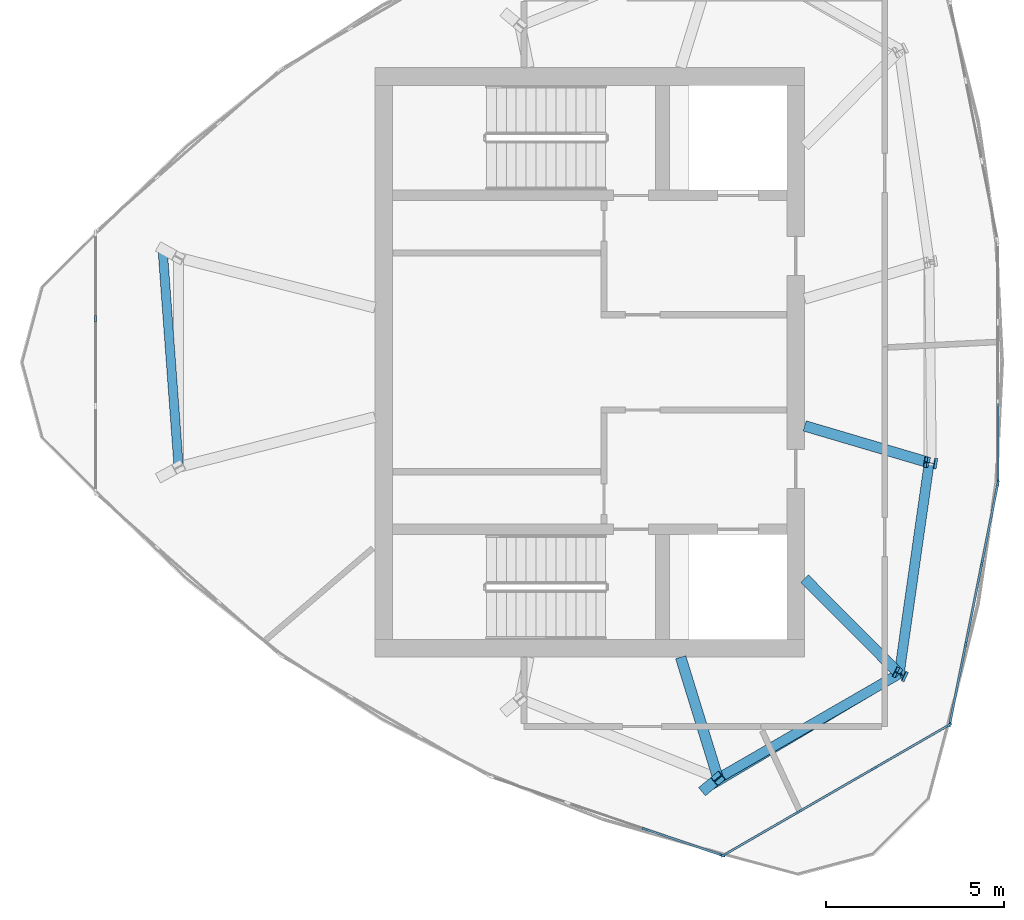
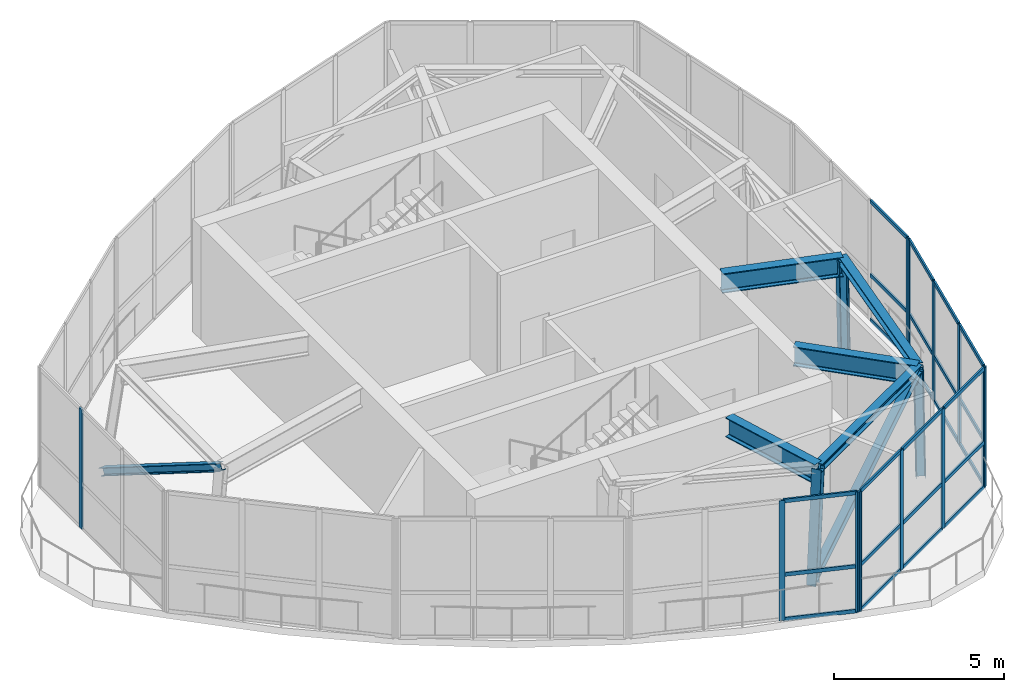
# One storey, part 2 of 10: 43 members, 3 beams, 5 elements without a shape of their own.
"""IFC4 building model written with IfcOpenShell, lengths in metres."""

from ifc_helpers import new_model, si_unit, direction, frame, origin, origin_2d, place, context, subcontext, project, spatial, rectangle, i_section, extrude, source, transform, mapped, material, layer, layer_set, material_profile, profile_set, type_object, element, aggregate, save


model = new_model("IFC4")

# Units and contexts
model_context = context("Model", 3, precision=1e-05, world=origin(), true_north=direction((0.0, 1.0)))
body_context = subcontext(model_context, "Body", "Model", "MODEL_VIEW")
ifc_project = project(units=[si_unit("LENGTHUNIT", "METRE"), si_unit("AREAUNIT", "SQUARE_METRE"), si_unit("VOLUMEUNIT", "CUBIC_METRE"), si_unit("PLANEANGLEUNIT", "RADIAN"), si_unit("MASSUNIT", "GRAM", prefix="KILO")], contexts=[model_context])

# Site, building, storey
site_placement = place(None, origin())
site = spatial("IfcSite", under=ifc_project, at=site_placement, CompositionType="ELEMENT")
building_placement = place(site_placement, origin())
building = spatial("IfcBuilding", under=site, at=building_placement, Name="Qafzar Sky-Pleat Residences", CompositionType="ELEMENT")
storey_placement = place(building_placement, frame((0.0, 0.0, 270.39990234375)))
storey = spatial("IfcBuildingStorey", under=building, at=storey_placement, Name="L80 Crown", CompositionType="ELEMENT", Elevation=270.39990234375)

# Members
ifc_material_1 = material(Name="Steel S460", Category="steel")
ifc_material_profile_1 = material_profile(ifc_material_1, i_section(OverallWidth=0.300048828125, OverallDepth=0.300048828125, WebThickness=0.010986328125, FlangeThickness=0.01904296875, FilletRadius=0.027099609375, at=origin_2d()), Name="HEB 300")
ifc_profile_set_1 = profile_set([ifc_material_profile_1], Name="Steel S460")
member_type_1 = type_object("IfcMemberType", Name="MEM-CROWN-RIB", PredefinedType="CHORD", material=ifc_profile_set_1)
shared_shape_1 = source(origin(), body_context, "Body", "SweptSolid", [
    extrude(i_section(OverallWidth=0.300048828125, OverallDepth=0.300048828125, WebThickness=0.010986328125, FlangeThickness=0.01904296875, FilletRadius=0.027099609375, at=origin_2d()), origin(), (0.0, 0.0, 1.0), 3.92041015625),
])
member_1_placement = place(storey_placement, frame((33.623779296875, 14.01025390625, 0.0), z_axis=(0.086060556338, 0.071177435524, 0.993744108569), x_axis=(-0.637328040469, 0.770592608861, 0.0)))
element("IfcMember", 1, at=member_1_placement, inside=storey, type_object=member_type_1, Name="L80 Crown CROWN FRAME Inclined Rib 5", PredefinedType="CHORD", context=body_context, shape_type="MappedRepresentation", body=[
    mapped(shared_shape_1, transform((0.0, 0.0, 0.0), x_axis=(1.0, 0.0, 0.0), y_axis=(0.0, 1.0, 0.0), z_axis=(0.0, 0.0, 1.0), scale=1.0)),
])
shared_shape_2 = source(origin(), body_context, "Body", "SweptSolid", [
    extrude(i_section(OverallWidth=0.300048828125, OverallDepth=0.300048828125, WebThickness=0.010986328125, FlangeThickness=0.01904296875, FilletRadius=0.027099609375, at=origin_2d()), origin(), (0.0, 0.0, 1.0), 3.896728515625),
])
for number, where, z_axis, x_axis, name in (
    (2, (39.12353515625, 17.203369140625, 0.0), (-0.016039554791, 0.007831813863, 0.999840684996), (-0.438769386115, -0.898599702764, 0.0), "L80 Crown CROWN FRAME Inclined Rib 6"),
    (3, (39.9736328125, 23.165283203125, 0.0), (-0.017605920467, 0.002882107977, 0.999840849845), (-0.161550756622, -0.986864404584, 0.0), "L80 Crown CROWN FRAME Inclined Rib 7"),
):
    element("IfcMember", number, at=place(storey_placement, frame(where, z_axis=z_axis, x_axis=x_axis)), inside=storey, type_object=member_type_1, Name=name, PredefinedType="CHORD", context=body_context, shape_type="MappedRepresentation", body=[
        mapped(shared_shape_2, transform((0.0, 0.0, 0.0), x_axis=(1.0, 0.0, 0.0), y_axis=(0.0, 1.0, 0.0), z_axis=(0.0, 0.0, 1.0), scale=1.0)),
    ])
ifc_material_2 = material(Name="Steel S355", Category="steel")
ifc_material_profile_2 = material_profile(ifc_material_2, i_section(OverallWidth=0.260009765625, OverallDepth=0.260009765625, WebThickness=0.010009765625, FlangeThickness=0.017578125, FilletRadius=0.02392578125, at=origin_2d()), Name="HEB 260")
ifc_profile_set_2 = profile_set([ifc_material_profile_2], Name="Steel S355")
member_type_2 = type_object("IfcMemberType", Name="MEM-CROWN-DIAG", PredefinedType="BRACE", material=ifc_profile_set_2)
shared_shape_3 = source(origin(), body_context, "Body", "SweptSolid", [
    extrude(i_section(OverallWidth=0.260009765625, OverallDepth=0.260009765625, WebThickness=0.010009765625, FlangeThickness=0.017578125, FilletRadius=0.02392578125, at=origin_2d()), origin(), (0.0, 0.0, 1.0), 7.1884765625),
])
member_2_placement = place(storey_placement, frame((18.325927734375, 29.192626953125, 0.2001953125), z_axis=(0.062865308907, -0.853725159366, 0.516915181826), x_axis=(0.997299811024, 0.073437639742, 0.0)))
element("IfcMember", 4, at=member_2_placement, inside=storey, type_object=member_type_2, Name="L80 Crown CROWN FRAME Wind Brace 1", PredefinedType="BRACE", context=body_context, shape_type="MappedRepresentation", body=[
    mapped(shared_shape_3, transform((0.0, 0.0, 0.0), x_axis=(1.0, 0.0, 0.0), y_axis=(0.0, 1.0, 0.0), z_axis=(0.0, 0.0, 1.0), scale=1.0)),
])
ifc_material_profile_3 = material_profile(ifc_material_2, i_section(OverallWidth=0.280029296875, OverallDepth=0.280029296875, WebThickness=0.010498046875, FlangeThickness=0.01806640625, FilletRadius=0.02392578125, at=origin_2d()), Name="HEB 280")
ifc_profile_set_3 = profile_set([ifc_material_profile_3], Name="Steel S355")
member_type_3 = type_object("IfcMemberType", Name="MEM-CROWN-RING", PredefinedType="PURLIN", material=ifc_profile_set_3)
shared_shape_4 = source(origin(), body_context, "Body", "SweptSolid", [
    extrude(i_section(OverallWidth=0.280029296875, OverallDepth=0.280029296875, WebThickness=0.010498046875, FlangeThickness=0.01806640625, FilletRadius=0.02392578125, at=origin_2d()), origin(), (0.0, 0.0, 1.0), 5.888916015625),
])
member_3_placement = place(storey_placement, frame((33.961181640625, 14.289306640625, 3.906005859375), z_axis=(0.866012294628, 0.500022705037, 0.0), x_axis=(-0.500022705037, 0.866012294628, 0.0)))
element("IfcMember", 5, at=member_3_placement, inside=storey, type_object=member_type_3, Name="L80 Crown CROWN FRAME Ring Beam 5", PredefinedType="PURLIN", context=body_context, shape_type="MappedRepresentation", body=[
    mapped(shared_shape_4, transform((0.0, 0.0, 0.0), x_axis=(1.0, 0.0, 0.0), y_axis=(0.0, 1.0, 0.0), z_axis=(0.0, 0.0, 1.0), scale=1.0)),
])
shared_shape_5 = source(origin(), body_context, "Body", "SweptSolid", [
    extrude(i_section(OverallWidth=0.260009765625, OverallDepth=0.260009765625, WebThickness=0.010009765625, FlangeThickness=0.017578125, FilletRadius=0.02392578125, at=origin_2d()), origin(), (0.0, 0.0, 1.0), 7.332275390625),
])
member_4_placement = place(storey_placement, frame((33.623779296875, 14.01025390625, 0.2001953125), z_axis=(0.741546698695, 0.439647191844, 0.506772967273), x_axis=(-0.509984477823, 0.860183603877, 0.0)))
element("IfcMember", 6, at=member_4_placement, inside=storey, type_object=member_type_2, Name="L80 Crown CROWN FRAME Wind Brace 5", PredefinedType="BRACE", context=body_context, shape_type="MappedRepresentation", body=[
    mapped(shared_shape_5, transform((0.0, 0.0, 0.0), x_axis=(1.0, 0.0, 0.0), y_axis=(0.0, 1.0, 0.0), z_axis=(0.0, 0.0, 1.0), scale=1.0)),
])
shared_shape_6 = source(origin(), body_context, "Body", "SweptSolid", [
    extrude(i_section(OverallWidth=0.280029296875, OverallDepth=0.280029296875, WebThickness=0.010498046875, FlangeThickness=0.01806640625, FilletRadius=0.02392578125, at=origin_2d()), origin(), (0.0, 0.0, 1.0), 6.002197265625),
])
member_5_placement = place(storey_placement, frame((39.06103515625, 17.23388671875, 3.906005859375), z_axis=(0.140612694547, 0.990064679772, 0.0), x_axis=(-0.990064679772, 0.140612694547, 0.0)))
element("IfcMember", 7, at=member_5_placement, inside=storey, type_object=member_type_3, Name="L80 Crown CROWN FRAME Ring Beam 6", PredefinedType="PURLIN", context=body_context, shape_type="MappedRepresentation", body=[
    mapped(shared_shape_6, transform((0.0, 0.0, 0.0), x_axis=(1.0, 0.0, 0.0), y_axis=(0.0, 1.0, 0.0), z_axis=(0.0, 0.0, 1.0), scale=1.0)),
])

# Beams
ifc_material_profile_4 = material_profile(ifc_material_1, i_section(OverallWidth=0.300048828125, OverallDepth=0.699951171875, WebThickness=0.01708984375, FlangeThickness=0.031982421875, FilletRadius=0.027099609375, at=origin_2d()), Name="HEB 700")
ifc_profile_set_4 = profile_set([ifc_material_profile_4], Name="Steel S460")
beam_type = type_object("IfcBeamType", Name="BM-CHORD-HEB700", PredefinedType="BEAM", material=ifc_profile_set_4)
shared_shape_7 = source(origin(), body_context, "Body", "SweptSolid", [
    extrude(i_section(OverallWidth=0.300048828125, OverallDepth=0.699951171875, WebThickness=0.01708984375, FlangeThickness=0.031982421875, FilletRadius=0.027099609375, at=origin_2d()), origin(), (0.0, 0.0, 1.0), 3.569091796875),
])
beam_1_placement = place(storey_placement, frame((33.961181640625, 14.289306640625, 3.697998046875), z_axis=(-0.29468182556, 0.955595427827, 0.0), x_axis=(-0.955595427827, -0.29468182556, 0.0)))
element("IfcBeam", 8, at=beam_1_placement, inside=storey, type_object=beam_type, Name="L81 Crown Crown Rib Base Transfer Beam 5", PredefinedType="BEAM", context=body_context, shape_type="MappedRepresentation", body=[
    mapped(shared_shape_7, transform((0.0, 0.0, 0.0), x_axis=(1.0, 0.0, 0.0), y_axis=(0.0, 1.0, 0.0), z_axis=(0.0, 0.0, 1.0), scale=1.0)),
])
shared_shape_8 = source(origin(), body_context, "Body", "SweptSolid", [
    extrude(i_section(OverallWidth=0.300048828125, OverallDepth=0.699951171875, WebThickness=0.01708984375, FlangeThickness=0.031982421875, FilletRadius=0.027099609375, at=origin_2d()), origin(), (0.0, 0.0, 1.0), 3.775146484375),
])
beam_2_placement = place(storey_placement, frame((39.06103515625, 17.23388671875, 3.697998046875), z_axis=(-0.70490457764, 0.709302147482, 0.0), x_axis=(-0.709302147482, -0.70490457764, 0.0)))
element("IfcBeam", 9, at=beam_2_placement, inside=storey, type_object=beam_type, Name="L81 Crown Crown Rib Base Transfer Beam 6", PredefinedType="BEAM", context=body_context, shape_type="MappedRepresentation", body=[
    mapped(shared_shape_8, transform((0.0, 0.0, 0.0), x_axis=(1.0, 0.0, 0.0), y_axis=(0.0, 1.0, 0.0), z_axis=(0.0, 0.0, 1.0), scale=1.0)),
])
shared_shape_9 = source(origin(), body_context, "Body", "SweptSolid", [
    extrude(i_section(OverallWidth=0.300048828125, OverallDepth=0.699951171875, WebThickness=0.01708984375, FlangeThickness=0.031982421875, FilletRadius=0.027099609375, at=origin_2d()), origin(), (0.0, 0.0, 1.0), 3.655029296875),
])
beam_3_placement = place(storey_placement, frame((39.905029296875, 23.176513671875, 3.697998046875), z_axis=(-0.959014820317, 0.28335591473, 0.0), x_axis=(-0.28335591473, -0.959014820317, 0.0)))
element("IfcBeam", 10, at=beam_3_placement, inside=storey, type_object=beam_type, Name="L81 Crown Crown Rib Base Transfer Beam 7", PredefinedType="BEAM", context=body_context, shape_type="MappedRepresentation", body=[
    mapped(shared_shape_9, transform((0.0, 0.0, 0.0), x_axis=(1.0, 0.0, 0.0), y_axis=(0.0, 1.0, 0.0), z_axis=(0.0, 0.0, 1.0), scale=1.0)),
])

# Curtain wall, member
ifc_material_3 = material(Name="Anodised bronze aluminium framing", Category="aluminium")
ifc_layer = layer(ifc_material_3, 0.179931640625)
ifc_layer_set = layer_set([ifc_layer], Name="Anodised bronze aluminium framing")
curtain_wall_type = type_object("IfcCurtainWallType", Name="CW-SYS-06", PredefinedType="NOTDEFINED", material=ifc_layer_set)
curtain_wall_1_placement = place(storey_placement, origin())
curtain_wall_1 = element("IfcCurtainWall", 11, at=curtain_wall_1_placement, inside=storey, type_object=curtain_wall_type, Name="L80 Crown CW-06 Curtain Wall CW-CROWN-05-01", PredefinedType="NOTDEFINED")
ifc_material_4 = material(Name="Anodised bronze aluminium", Category="aluminium")
ifc_material_profile_5 = material_profile(ifc_material_4, rectangle(XDim=0.06005859375, YDim=0.179931640625, at=origin_2d()), Name="ALU MULLION 60x180")
ifc_profile_set_5 = profile_set([ifc_material_profile_5], Name="Anodised bronze aluminium")
member_type_4 = type_object("IfcMemberType", Name="CWM-06", PredefinedType="MULLION", material=ifc_profile_set_5)
shared_shape_10 = source(origin(), body_context, "Body", "SweptSolid", [
    extrude(rectangle(XDim=0.06005859375, YDim=0.179931640625, at=origin_2d()), origin(), (0.0, 0.0, 1.0), 4.300048828125),
])
member_6_placement = place(storey_placement, frame((16.438720703125, 27.227783203125, 0.0), z_axis=(0.0, 0.0, 1.0), x_axis=(1.0, 0.0, 0.0)))
member_6 = element("IfcMember", 12, at=member_6_placement, type_object=member_type_4, Name="CW-06 mullion 2", PredefinedType="MULLION", context=body_context, shape_type="MappedRepresentation", body=[
    mapped(shared_shape_10, transform((0.0, 0.0, 0.0), x_axis=(1.0, 0.0, 0.0), y_axis=(0.0, 1.0, 0.0), z_axis=(0.0, 0.0, 1.0), scale=1.0)),
])
aggregate(curtain_wall_1, [member_6])

# Curtain wall, members
curtain_wall_2_placement = place(storey_placement, origin())
curtain_wall_2 = element("IfcCurtainWall", 13, at=curtain_wall_2_placement, inside=storey, type_object=curtain_wall_type, Name="L80 Crown CW-06 Curtain Wall CW-CROWN-05-04", PredefinedType="NOTDEFINED")
member_7_placement = place(storey_placement, frame((31.91162109375, 12.860107421875, 0.0), z_axis=(0.0, 0.0, 1.0), x_axis=(0.320439473508, 0.947268992324, 0.0)))
member_7 = element("IfcMember", 14, at=member_7_placement, type_object=member_type_4, Name="CW-06 mullion 3", PredefinedType="MULLION", context=body_context, shape_type="MappedRepresentation", body=[
    mapped(shared_shape_10, transform((0.0, 0.0, 0.0), x_axis=(1.0, 0.0, 0.0), y_axis=(0.0, 1.0, 0.0), z_axis=(0.0, 0.0, 1.0), scale=1.0)),
])
member_8_placement = place(storey_placement, frame((34.072265625, 12.129150390625, 0.0), z_axis=(0.0, 0.0, 1.0), x_axis=(0.320439473508, 0.947268992324, 0.0)))
member_8 = element("IfcMember", 15, at=member_8_placement, type_object=member_type_4, Name="CW-06 mullion 4", PredefinedType="MULLION", context=body_context, shape_type="MappedRepresentation", body=[
    mapped(shared_shape_10, transform((0.0, 0.0, 0.0), x_axis=(1.0, 0.0, 0.0), y_axis=(0.0, 1.0, 0.0), z_axis=(0.0, 0.0, 1.0), scale=1.0)),
])

curtain_wall_3_placement = place(storey_placement, origin())
curtain_wall_3 = element("IfcCurtainWall", 16, at=curtain_wall_3_placement, inside=storey, type_object=curtain_wall_type, Name="L80 Crown CW-06 Curtain Wall CW-CROWN-05-05", PredefinedType="NOTDEFINED")
member_9_placement = place(storey_placement, frame((34.12646484375, 12.134521484375, 0.0), z_axis=(0.0, 0.0, 1.0), x_axis=(-0.500000537791, 0.86602509329, 0.0)))
member_9 = element("IfcMember", 17, at=member_9_placement, type_object=member_type_4, Name="CW-06 mullion 1", PredefinedType="MULLION", context=body_context, shape_type="MappedRepresentation", body=[
    mapped(shared_shape_10, transform((0.0, 0.0, 0.0), x_axis=(1.0, 0.0, 0.0), y_axis=(0.0, 1.0, 0.0), z_axis=(0.0, 0.0, 1.0), scale=1.0)),
])
member_10_placement = place(storey_placement, frame((36.227294921875, 13.347412109375, 0.0), z_axis=(0.0, 0.0, 1.0), x_axis=(-0.500000537791, 0.86602509329, 0.0)))
member_10 = element("IfcMember", 18, at=member_10_placement, type_object=member_type_4, Name="CW-06 mullion 2", PredefinedType="MULLION", context=body_context, shape_type="MappedRepresentation", body=[
    mapped(shared_shape_10, transform((0.0, 0.0, 0.0), x_axis=(1.0, 0.0, 0.0), y_axis=(0.0, 1.0, 0.0), z_axis=(0.0, 0.0, 1.0), scale=1.0)),
])
member_11_placement = place(storey_placement, frame((38.35400390625, 14.5751953125, 0.0), z_axis=(0.0, 0.0, 1.0), x_axis=(-0.500000537791, 0.86602509329, 0.0)))
member_11 = element("IfcMember", 19, at=member_11_placement, type_object=member_type_4, Name="CW-06 mullion 3", PredefinedType="MULLION", context=body_context, shape_type="MappedRepresentation", body=[
    mapped(shared_shape_10, transform((0.0, 0.0, 0.0), x_axis=(1.0, 0.0, 0.0), y_axis=(0.0, 1.0, 0.0), z_axis=(0.0, 0.0, 1.0), scale=1.0)),
])
member_12_placement = place(storey_placement, frame((40.45458984375, 15.7880859375, 0.0), z_axis=(0.0, 0.0, 1.0), x_axis=(-0.500000537791, 0.86602509329, 0.0)))
member_12 = element("IfcMember", 20, at=member_12_placement, type_object=member_type_4, Name="CW-06 mullion 4", PredefinedType="MULLION", context=body_context, shape_type="MappedRepresentation", body=[
    mapped(shared_shape_10, transform((0.0, 0.0, 0.0), x_axis=(1.0, 0.0, 0.0), y_axis=(0.0, 1.0, 0.0), z_axis=(0.0, 0.0, 1.0), scale=1.0)),
])

curtain_wall_4_placement = place(storey_placement, origin())
curtain_wall_4 = element("IfcCurtainWall", 21, at=curtain_wall_4_placement, inside=storey, type_object=curtain_wall_type, Name="L80 Crown CW-06 Curtain Wall CW-CROWN-05-06", PredefinedType="NOTDEFINED")
member_13_placement = place(storey_placement, frame((40.486572265625, 15.83251953125, 0.0), z_axis=(0.0, 0.0, 1.0), x_axis=(-0.980580675691, 0.196116135138, 0.0)))
member_13 = element("IfcMember", 22, at=member_13_placement, type_object=member_type_4, Name="CW-06 mullion 1", PredefinedType="MULLION", context=body_context, shape_type="MappedRepresentation", body=[
    mapped(shared_shape_10, transform((0.0, 0.0, 0.0), x_axis=(1.0, 0.0, 0.0), y_axis=(0.0, 1.0, 0.0), z_axis=(0.0, 0.0, 1.0), scale=1.0)),
])
member_14_placement = place(storey_placement, frame((40.933837890625, 18.069091796875, 0.0), z_axis=(0.0, 0.0, 1.0), x_axis=(-0.980580675691, 0.196116135138, 0.0)))
member_14 = element("IfcMember", 23, at=member_14_placement, type_object=member_type_4, Name="CW-06 mullion 2", PredefinedType="MULLION", context=body_context, shape_type="MappedRepresentation", body=[
    mapped(shared_shape_10, transform((0.0, 0.0, 0.0), x_axis=(1.0, 0.0, 0.0), y_axis=(0.0, 1.0, 0.0), z_axis=(0.0, 0.0, 1.0), scale=1.0)),
])
member_15_placement = place(storey_placement, frame((41.386962890625, 20.3349609375, 0.0), z_axis=(0.0, 0.0, 1.0), x_axis=(-0.980580675691, 0.196116135138, 0.0)))
member_15 = element("IfcMember", 24, at=member_15_placement, type_object=member_type_4, Name="CW-06 mullion 3", PredefinedType="MULLION", context=body_context, shape_type="MappedRepresentation", body=[
    mapped(shared_shape_10, transform((0.0, 0.0, 0.0), x_axis=(1.0, 0.0, 0.0), y_axis=(0.0, 1.0, 0.0), z_axis=(0.0, 0.0, 1.0), scale=1.0)),
])
member_16_placement = place(storey_placement, frame((41.834228515625, 22.571533203125, 0.0), z_axis=(0.0, 0.0, 1.0), x_axis=(-0.980580675691, 0.196116135138, 0.0)))
member_16 = element("IfcMember", 25, at=member_16_placement, type_object=member_type_4, Name="CW-06 mullion 4", PredefinedType="MULLION", context=body_context, shape_type="MappedRepresentation", body=[
    mapped(shared_shape_10, transform((0.0, 0.0, 0.0), x_axis=(1.0, 0.0, 0.0), y_axis=(0.0, 1.0, 0.0), z_axis=(0.0, 0.0, 1.0), scale=1.0)),
])

# Curtain wall, member
curtain_wall_5_placement = place(storey_placement, origin())
curtain_wall_5 = element("IfcCurtainWall", 26, at=curtain_wall_5_placement, inside=storey, type_object=curtain_wall_type, Name="L80 Crown CW-06 Curtain Wall CW-CROWN-05-07", PredefinedType="NOTDEFINED")
member_17_placement = place(storey_placement, frame((41.840087890625, 22.631103515625, 0.0), z_axis=(0.0, 0.0, 1.0), x_axis=(-1.0, 0.0, 0.0)))
member_17 = element("IfcMember", 27, at=member_17_placement, type_object=member_type_4, Name="CW-06 mullion 1", PredefinedType="MULLION", context=body_context, shape_type="MappedRepresentation", body=[
    mapped(shared_shape_10, transform((0.0, 0.0, 0.0), x_axis=(1.0, 0.0, 0.0), y_axis=(0.0, 1.0, 0.0), z_axis=(0.0, 0.0, 1.0), scale=1.0)),
])

# Member
ifc_material_profile_6 = material_profile(ifc_material_4, rectangle(XDim=0.06005859375, YDim=0.135009765625, at=origin_2d()), Name="ALU TRANSOM 60x135")
ifc_profile_set_6 = profile_set([ifc_material_profile_6], Name="Anodised bronze aluminium")
member_type_5 = type_object("IfcMemberType", Name="CWT-06", PredefinedType="USERDEFINED", material=ifc_profile_set_6)
shared_shape_11 = source(origin(), body_context, "Body", "SweptSolid", [
    extrude(rectangle(XDim=0.06005859375, YDim=0.135009765625, at=origin_2d()), origin(), (0.0, 0.0, 1.0), 2.36572265625),
])
member_18_placement = place(storey_placement, frame((38.3798828125, 14.590087890625, 0.030029296875), z_axis=(0.866030920585, 0.499990444499, 0.0), x_axis=(-0.499990444499, 0.866030920585, 0.0)))
member_18 = element("IfcMember", 28, at=member_18_placement, type_object=member_type_5, Name="CW-06 transom 3.1", ObjectType="TRANSOM", PredefinedType="USERDEFINED", context=body_context, shape_type="MappedRepresentation", body=[
    mapped(shared_shape_11, transform((0.0, 0.0, 0.0), x_axis=(1.0, 0.0, 0.0), y_axis=(0.0, 1.0, 0.0), z_axis=(0.0, 0.0, 1.0), scale=1.0)),
])

member_19_placement = place(storey_placement, frame((38.3798828125, 14.590087890625, 1.634033203125), z_axis=(0.866030920585, 0.499990444499, 0.0), x_axis=(-0.499990444499, 0.866030920585, 0.0)))
member_19 = element("IfcMember", 29, at=member_19_placement, type_object=member_type_5, Name="CW-06 transom 3.2", ObjectType="TRANSOM", PredefinedType="USERDEFINED", context=body_context, shape_type="MappedRepresentation", body=[
    mapped(shared_shape_11, transform((0.0, 0.0, 0.0), x_axis=(1.0, 0.0, 0.0), y_axis=(0.0, 1.0, 0.0), z_axis=(0.0, 0.0, 1.0), scale=1.0)),
])

member_20_placement = place(storey_placement, frame((38.3798828125, 14.590087890625, 4.27001953125), z_axis=(0.866030920585, 0.499990444499, 0.0), x_axis=(-0.499990444499, 0.866030920585, 0.0)))
member_20 = element("IfcMember", 30, at=member_20_placement, type_object=member_type_5, Name="CW-06 transom 3.3", ObjectType="TRANSOM", PredefinedType="USERDEFINED", context=body_context, shape_type="MappedRepresentation", body=[
    mapped(shared_shape_11, transform((0.0, 0.0, 0.0), x_axis=(1.0, 0.0, 0.0), y_axis=(0.0, 1.0, 0.0), z_axis=(0.0, 0.0, 1.0), scale=1.0)),
])

shared_shape_12 = source(origin(), body_context, "Body", "SweptSolid", [
    extrude(rectangle(XDim=0.06005859375, YDim=0.135009765625, at=origin_2d()), origin(), (0.0, 0.0, 1.0), 2.3955078125),
])
member_21_placement = place(storey_placement, frame((36.253173828125, 13.3623046875, 0.030029296875), z_axis=(0.866039638822, 0.499975343382, 0.0), x_axis=(-0.499975343382, 0.866039638822, 0.0)))
member_21 = element("IfcMember", 31, at=member_21_placement, type_object=member_type_5, Name="CW-06 transom 2.1", ObjectType="TRANSOM", PredefinedType="USERDEFINED", context=body_context, shape_type="MappedRepresentation", body=[
    mapped(shared_shape_12, transform((0.0, 0.0, 0.0), x_axis=(1.0, 0.0, 0.0), y_axis=(0.0, 1.0, 0.0), z_axis=(0.0, 0.0, 1.0), scale=1.0)),
])

member_22_placement = place(storey_placement, frame((36.253173828125, 13.3623046875, 1.634033203125), z_axis=(0.866039638822, 0.499975343382, 0.0), x_axis=(-0.499975343382, 0.866039638822, 0.0)))
member_22 = element("IfcMember", 32, at=member_22_placement, type_object=member_type_5, Name="CW-06 transom 2.2", ObjectType="TRANSOM", PredefinedType="USERDEFINED", context=body_context, shape_type="MappedRepresentation", body=[
    mapped(shared_shape_12, transform((0.0, 0.0, 0.0), x_axis=(1.0, 0.0, 0.0), y_axis=(0.0, 1.0, 0.0), z_axis=(0.0, 0.0, 1.0), scale=1.0)),
])

member_23_placement = place(storey_placement, frame((36.253173828125, 13.3623046875, 4.27001953125), z_axis=(0.866039638822, 0.499975343382, 0.0), x_axis=(-0.499975343382, 0.866039638822, 0.0)))
member_23 = element("IfcMember", 33, at=member_23_placement, type_object=member_type_5, Name="CW-06 transom 2.3", ObjectType="TRANSOM", PredefinedType="USERDEFINED", context=body_context, shape_type="MappedRepresentation", body=[
    mapped(shared_shape_12, transform((0.0, 0.0, 0.0), x_axis=(1.0, 0.0, 0.0), y_axis=(0.0, 1.0, 0.0), z_axis=(0.0, 0.0, 1.0), scale=1.0)),
])

shared_shape_13 = source(origin(), body_context, "Body", "SweptSolid", [
    extrude(rectangle(XDim=0.06005859375, YDim=0.135009765625, at=origin_2d()), origin(), (0.0, 0.0, 1.0), 2.220947265625),
])
member_24_placement = place(storey_placement, frame((31.93994140625, 12.850341796875, 0.030029296875), z_axis=(0.947266802328, -0.320445947405, 0.0), x_axis=(0.320445947405, 0.947266802328, 0.0)))
member_24 = element("IfcMember", 34, at=member_24_placement, type_object=member_type_5, Name="CW-06 transom 3.1", ObjectType="TRANSOM", PredefinedType="USERDEFINED", context=body_context, shape_type="MappedRepresentation", body=[
    mapped(shared_shape_13, transform((0.0, 0.0, 0.0), x_axis=(1.0, 0.0, 0.0), y_axis=(0.0, 1.0, 0.0), z_axis=(0.0, 0.0, 1.0), scale=1.0)),
])

member_25_placement = place(storey_placement, frame((31.93994140625, 12.850341796875, 1.634033203125), z_axis=(0.947266802328, -0.320445947405, 0.0), x_axis=(0.320445947405, 0.947266802328, 0.0)))
member_25 = element("IfcMember", 35, at=member_25_placement, type_object=member_type_5, Name="CW-06 transom 3.2", ObjectType="TRANSOM", PredefinedType="USERDEFINED", context=body_context, shape_type="MappedRepresentation", body=[
    mapped(shared_shape_13, transform((0.0, 0.0, 0.0), x_axis=(1.0, 0.0, 0.0), y_axis=(0.0, 1.0, 0.0), z_axis=(0.0, 0.0, 1.0), scale=1.0)),
])

member_26_placement = place(storey_placement, frame((31.93994140625, 12.850341796875, 4.27001953125), z_axis=(0.947266802328, -0.320445947405, 0.0), x_axis=(0.320445947405, 0.947266802328, 0.0)))
member_26 = element("IfcMember", 36, at=member_26_placement, type_object=member_type_5, Name="CW-06 transom 3.3", ObjectType="TRANSOM", PredefinedType="USERDEFINED", context=body_context, shape_type="MappedRepresentation", body=[
    mapped(shared_shape_13, transform((0.0, 0.0, 0.0), x_axis=(1.0, 0.0, 0.0), y_axis=(0.0, 1.0, 0.0), z_axis=(0.0, 0.0, 1.0), scale=1.0)),
])

aggregate(curtain_wall_2, [member_7, member_8, member_24, member_25, member_26])

member_27_placement = place(storey_placement, frame((40.492431640625, 15.86181640625, 0.030029296875), z_axis=(0.196116135138, 0.980580675691, 0.0), x_axis=(-0.980580675691, 0.196116135138, 0.0)))
member_27 = element("IfcMember", 37, at=member_27_placement, type_object=member_type_5, Name="CW-06 transom 1.1", ObjectType="TRANSOM", PredefinedType="USERDEFINED", context=body_context, shape_type="MappedRepresentation", body=[
    mapped(shared_shape_13, transform((0.0, 0.0, 0.0), x_axis=(1.0, 0.0, 0.0), y_axis=(0.0, 1.0, 0.0), z_axis=(0.0, 0.0, 1.0), scale=1.0)),
])

member_28_placement = place(storey_placement, frame((40.492431640625, 15.86181640625, 1.634033203125), z_axis=(0.196116135138, 0.980580675691, 0.0), x_axis=(-0.980580675691, 0.196116135138, 0.0)))
member_28 = element("IfcMember", 38, at=member_28_placement, type_object=member_type_5, Name="CW-06 transom 1.2", ObjectType="TRANSOM", PredefinedType="USERDEFINED", context=body_context, shape_type="MappedRepresentation", body=[
    mapped(shared_shape_13, transform((0.0, 0.0, 0.0), x_axis=(1.0, 0.0, 0.0), y_axis=(0.0, 1.0, 0.0), z_axis=(0.0, 0.0, 1.0), scale=1.0)),
])

member_29_placement = place(storey_placement, frame((40.492431640625, 15.86181640625, 4.27001953125), z_axis=(0.196116135138, 0.980580675691, 0.0), x_axis=(-0.980580675691, 0.196116135138, 0.0)))
member_29 = element("IfcMember", 39, at=member_29_placement, type_object=member_type_5, Name="CW-06 transom 1.3", ObjectType="TRANSOM", PredefinedType="USERDEFINED", context=body_context, shape_type="MappedRepresentation", body=[
    mapped(shared_shape_13, transform((0.0, 0.0, 0.0), x_axis=(1.0, 0.0, 0.0), y_axis=(0.0, 1.0, 0.0), z_axis=(0.0, 0.0, 1.0), scale=1.0)),
])

member_30_placement = place(storey_placement, frame((41.392822265625, 20.364501953125, 0.030029296875), z_axis=(0.196116135138, 0.980580675691, 0.0), x_axis=(-0.980580675691, 0.196116135138, 0.0)))
member_30 = element("IfcMember", 40, at=member_30_placement, type_object=member_type_5, Name="CW-06 transom 3.1", ObjectType="TRANSOM", PredefinedType="USERDEFINED", context=body_context, shape_type="MappedRepresentation", body=[
    mapped(shared_shape_13, transform((0.0, 0.0, 0.0), x_axis=(1.0, 0.0, 0.0), y_axis=(0.0, 1.0, 0.0), z_axis=(0.0, 0.0, 1.0), scale=1.0)),
])

member_31_placement = place(storey_placement, frame((41.392822265625, 20.364501953125, 1.634033203125), z_axis=(0.196116135138, 0.980580675691, 0.0), x_axis=(-0.980580675691, 0.196116135138, 0.0)))
member_31 = element("IfcMember", 41, at=member_31_placement, type_object=member_type_5, Name="CW-06 transom 3.2", ObjectType="TRANSOM", PredefinedType="USERDEFINED", context=body_context, shape_type="MappedRepresentation", body=[
    mapped(shared_shape_13, transform((0.0, 0.0, 0.0), x_axis=(1.0, 0.0, 0.0), y_axis=(0.0, 1.0, 0.0), z_axis=(0.0, 0.0, 1.0), scale=1.0)),
])

member_32_placement = place(storey_placement, frame((41.392822265625, 20.364501953125, 4.27001953125), z_axis=(0.196116135138, 0.980580675691, 0.0), x_axis=(-0.980580675691, 0.196116135138, 0.0)))
member_32 = element("IfcMember", 42, at=member_32_placement, type_object=member_type_5, Name="CW-06 transom 3.3", ObjectType="TRANSOM", PredefinedType="USERDEFINED", context=body_context, shape_type="MappedRepresentation", body=[
    mapped(shared_shape_13, transform((0.0, 0.0, 0.0), x_axis=(1.0, 0.0, 0.0), y_axis=(0.0, 1.0, 0.0), z_axis=(0.0, 0.0, 1.0), scale=1.0)),
])

shared_shape_14 = source(origin(), body_context, "Body", "SweptSolid", [
    extrude(rectangle(XDim=0.06005859375, YDim=0.135009765625, at=origin_2d()), origin(), (0.0, 0.0, 1.0), 2.176025390625),
])
member_33_placement = place(storey_placement, frame((41.840087890625, 22.660888671875, 0.030029296875), z_axis=(0.0, 1.0, 0.0), x_axis=(-1.0, 0.0, 0.0)))
member_33 = element("IfcMember", 43, at=member_33_placement, type_object=member_type_5, Name="CW-06 transom 1.1", ObjectType="TRANSOM", PredefinedType="USERDEFINED", context=body_context, shape_type="MappedRepresentation", body=[
    mapped(shared_shape_14, transform((0.0, 0.0, 0.0), x_axis=(1.0, 0.0, 0.0), y_axis=(0.0, 1.0, 0.0), z_axis=(0.0, 0.0, 1.0), scale=1.0)),
])

member_34_placement = place(storey_placement, frame((41.840087890625, 22.660888671875, 1.634033203125), z_axis=(0.0, 1.0, 0.0), x_axis=(-1.0, 0.0, 0.0)))
member_34 = element("IfcMember", 44, at=member_34_placement, type_object=member_type_5, Name="CW-06 transom 1.2", ObjectType="TRANSOM", PredefinedType="USERDEFINED", context=body_context, shape_type="MappedRepresentation", body=[
    mapped(shared_shape_14, transform((0.0, 0.0, 0.0), x_axis=(1.0, 0.0, 0.0), y_axis=(0.0, 1.0, 0.0), z_axis=(0.0, 0.0, 1.0), scale=1.0)),
])

member_35_placement = place(storey_placement, frame((41.840087890625, 22.660888671875, 4.27001953125), z_axis=(0.0, 1.0, 0.0), x_axis=(-1.0, 0.0, 0.0)))
member_35 = element("IfcMember", 45, at=member_35_placement, type_object=member_type_5, Name="CW-06 transom 1.3", ObjectType="TRANSOM", PredefinedType="USERDEFINED", context=body_context, shape_type="MappedRepresentation", body=[
    mapped(shared_shape_14, transform((0.0, 0.0, 0.0), x_axis=(1.0, 0.0, 0.0), y_axis=(0.0, 1.0, 0.0), z_axis=(0.0, 0.0, 1.0), scale=1.0)),
])

aggregate(curtain_wall_5, [member_17, member_33, member_34, member_35])

shared_shape_15 = source(origin(), body_context, "Body", "SweptSolid", [
    extrude(rectangle(XDim=0.06005859375, YDim=0.135009765625, at=origin_2d()), origin(), (0.0, 0.0, 1.0), 2.365478515625),
])
member_36_placement = place(storey_placement, frame((34.152587890625, 12.1494140625, 0.030029296875), z_axis=(0.866005118812, 0.500035132957, 0.0), x_axis=(-0.500035132957, 0.866005118812, 0.0)))
member_36 = element("IfcMember", 46, at=member_36_placement, type_object=member_type_5, Name="CW-06 transom 1.1", ObjectType="TRANSOM", PredefinedType="USERDEFINED", context=body_context, shape_type="MappedRepresentation", body=[
    mapped(shared_shape_15, transform((0.0, 0.0, 0.0), x_axis=(1.0, 0.0, 0.0), y_axis=(0.0, 1.0, 0.0), z_axis=(0.0, 0.0, 1.0), scale=1.0)),
])

member_37_placement = place(storey_placement, frame((34.152587890625, 12.1494140625, 1.634033203125), z_axis=(0.866005118812, 0.500035132957, 0.0), x_axis=(-0.500035132957, 0.866005118812, 0.0)))
member_37 = element("IfcMember", 47, at=member_37_placement, type_object=member_type_5, Name="CW-06 transom 1.2", ObjectType="TRANSOM", PredefinedType="USERDEFINED", context=body_context, shape_type="MappedRepresentation", body=[
    mapped(shared_shape_15, transform((0.0, 0.0, 0.0), x_axis=(1.0, 0.0, 0.0), y_axis=(0.0, 1.0, 0.0), z_axis=(0.0, 0.0, 1.0), scale=1.0)),
])

member_38_placement = place(storey_placement, frame((34.152587890625, 12.1494140625, 4.27001953125), z_axis=(0.866005118812, 0.500035132957, 0.0), x_axis=(-0.500035132957, 0.866005118812, 0.0)))
member_38 = element("IfcMember", 48, at=member_38_placement, type_object=member_type_5, Name="CW-06 transom 1.3", ObjectType="TRANSOM", PredefinedType="USERDEFINED", context=body_context, shape_type="MappedRepresentation", body=[
    mapped(shared_shape_15, transform((0.0, 0.0, 0.0), x_axis=(1.0, 0.0, 0.0), y_axis=(0.0, 1.0, 0.0), z_axis=(0.0, 0.0, 1.0), scale=1.0)),
])

aggregate(curtain_wall_3, [member_9, member_10, member_11, member_12, member_36, member_37, member_38, member_21, member_22, member_23, member_18, member_19, member_20])

shared_shape_16 = source(origin(), body_context, "Body", "SweptSolid", [
    extrude(rectangle(XDim=0.06005859375, YDim=0.135009765625, at=origin_2d()), origin(), (0.0, 0.0, 1.0), 2.2509765625),
])
member_39_placement = place(storey_placement, frame((40.939697265625, 18.098388671875, 0.030029296875), z_axis=(0.196095277444, 0.980584846999, 0.0), x_axis=(-0.980584846999, 0.196095277444, 0.0)))
member_39 = element("IfcMember", 49, at=member_39_placement, type_object=member_type_5, Name="CW-06 transom 2.1", ObjectType="TRANSOM", PredefinedType="USERDEFINED", context=body_context, shape_type="MappedRepresentation", body=[
    mapped(shared_shape_16, transform((0.0, 0.0, 0.0), x_axis=(1.0, 0.0, 0.0), y_axis=(0.0, 1.0, 0.0), z_axis=(0.0, 0.0, 1.0), scale=1.0)),
])

member_40_placement = place(storey_placement, frame((40.939697265625, 18.098388671875, 1.634033203125), z_axis=(0.196095277444, 0.980584846999, 0.0), x_axis=(-0.980584846999, 0.196095277444, 0.0)))
member_40 = element("IfcMember", 50, at=member_40_placement, type_object=member_type_5, Name="CW-06 transom 2.2", ObjectType="TRANSOM", PredefinedType="USERDEFINED", context=body_context, shape_type="MappedRepresentation", body=[
    mapped(shared_shape_16, transform((0.0, 0.0, 0.0), x_axis=(1.0, 0.0, 0.0), y_axis=(0.0, 1.0, 0.0), z_axis=(0.0, 0.0, 1.0), scale=1.0)),
])

member_41_placement = place(storey_placement, frame((40.939697265625, 18.098388671875, 4.27001953125), z_axis=(0.196095277444, 0.980584846999, 0.0), x_axis=(-0.980584846999, 0.196095277444, 0.0)))
member_41 = element("IfcMember", 51, at=member_41_placement, type_object=member_type_5, Name="CW-06 transom 2.3", ObjectType="TRANSOM", PredefinedType="USERDEFINED", context=body_context, shape_type="MappedRepresentation", body=[
    mapped(shared_shape_16, transform((0.0, 0.0, 0.0), x_axis=(1.0, 0.0, 0.0), y_axis=(0.0, 1.0, 0.0), z_axis=(0.0, 0.0, 1.0), scale=1.0)),
])

aggregate(curtain_wall_4, [member_13, member_14, member_15, member_16, member_27, member_28, member_29, member_39, member_40, member_41, member_30, member_31, member_32])

save(model, "model.ifc")
